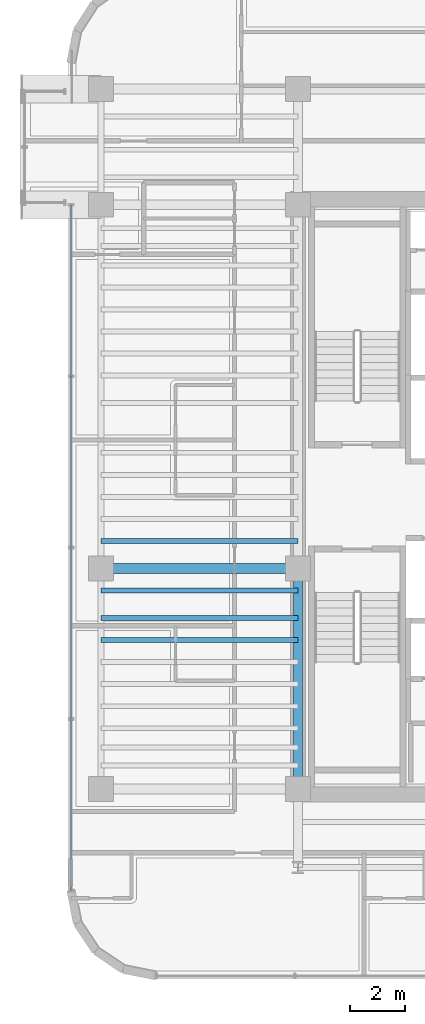
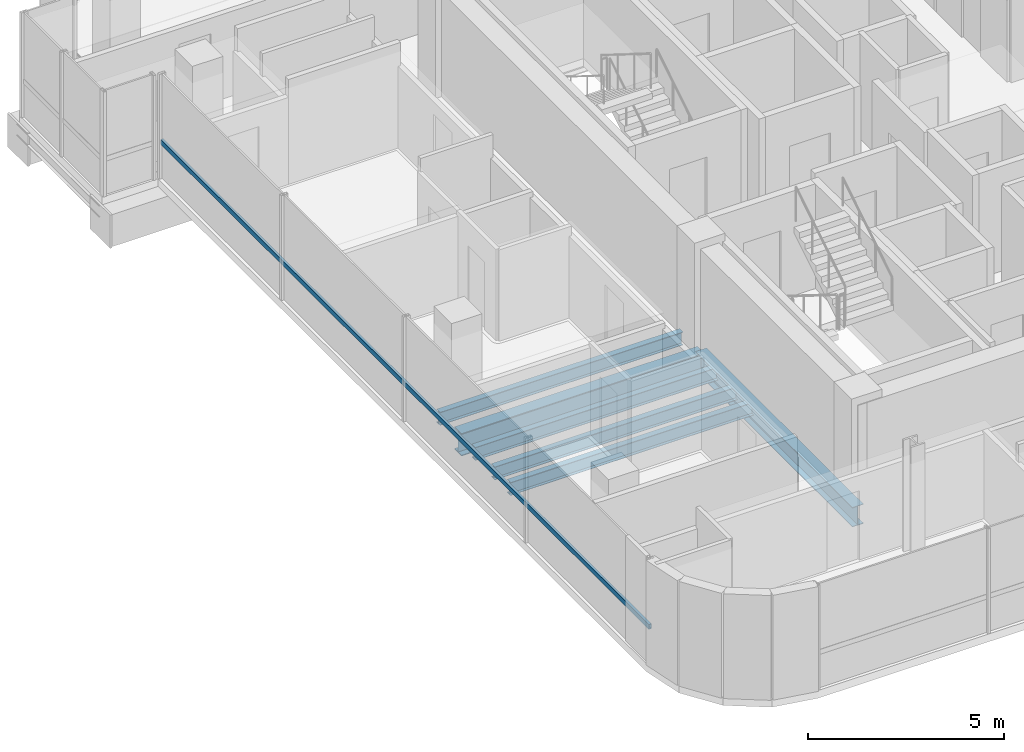
# One storey, part 5 of 23: 6 beams, 1 member, 1 element without a shape of its own.
"""IFC4 building model written with IfcOpenShell, lengths in metres."""

import ifcopenshell
import ifcopenshell.guid

model = None  # the IFC model being written
_history = None  # IfcOwnerHistory: only IFC2X3 demands one
_inside = {}  # id of a spatial element -> (the spatial element, [elements in it])
_under = {}  # id of a project, library or spatial element -> (it, [spatial elements below it])
_declared = {}  # id of a project -> (the project, [libraries it declares])
_typed = {}  # id of a type object -> (the type object, [elements of that type])
_made_of = {}  # id of a material, layer set ... -> (it, [elements and type objects made of it])


def new_model(schema):
    """Start an empty IFC model of exactly this schema.

    Asked for "IFC4X3", IfcOpenShell would pick the latest addendum, in which some entities
    have other attributes; the version numbers below select the first issue.
    IFC2X3 requires an IfcOwnerHistory on every rooted entity: one is made here for all.
    """
    global model, _history
    if schema == "IFC4X3":
        model = ifcopenshell.file(schema_version=(4, 3, 0, 0))
    else:
        model = ifcopenshell.file(schema=schema)
    _inside.clear()
    _under.clear()
    _declared.clear()
    _typed.clear()
    _made_of.clear()
    _history = None
    if model.schema == "IFC2X3":
        org = make("IfcOrganization", Name="unknown")
        user = make(
            "IfcPersonAndOrganization",
            ThePerson=make("IfcPerson", FamilyName="unknown"),
            TheOrganization=org,
        )
        app = make(
            "IfcApplication",
            ApplicationDeveloper=org,
            Version="unknown",
            ApplicationFullName="unknown",
            ApplicationIdentifier="unknown",
        )
        _history = make(
            "IfcOwnerHistory",
            OwningUser=user,
            OwningApplication=app,
            ChangeAction="ADDED",
            CreationDate=0,
        )
    return model


def make(cls, **values):
    """One entity of the class cls with the attributes given. An attribute that is None is left unset."""
    return model.create_entity(
        cls, **{name: value for name, value in values.items() if value is not None}
    )


def rooted(cls, **values):
    """An entity with a GlobalId (a new one), such as an element, a storey or a relation."""
    return make(cls, GlobalId=ifcopenshell.guid.new(), OwnerHistory=_history, **values)


def si_unit(unit_type, name, prefix=None):
    """IfcSIUnit, for example si_unit("LENGTHUNIT", "METRE", prefix="MILLI")."""
    return make("IfcSIUnit", UnitType=unit_type, Prefix=prefix, Name=name)


def assignment(units):
    """IfcUnitAssignment: the units of a project."""
    return None if units is None else make("IfcUnitAssignment", Units=units)


def point(xyz):
    """IfcCartesianPoint."""
    return None if xyz is None else make("IfcCartesianPoint", Coordinates=xyz)


def direction(xyz):
    """IfcDirection."""
    return None if xyz is None else make("IfcDirection", DirectionRatios=xyz)


def frame(location, z_axis=None, x_axis=None):
    """IfcAxis2Placement3D, a coordinate frame: its origin and axes. An axis left out is left unset."""
    return make(
        "IfcAxis2Placement3D",
        Location=point(location),
        Axis=direction(z_axis),
        RefDirection=direction(x_axis),
    )


def frame_2d(location, x_axis=None):
    """IfcAxis2Placement2D, a coordinate frame in the plane: its origin and x axis."""
    return make(
        "IfcAxis2Placement2D", Location=point(location), RefDirection=direction(x_axis)
    )


def origin():
    """The frame at (0, 0, 0) with its axes left unset."""
    return frame((0.0, 0.0, 0.0))


def origin_2d():
    """The frame at (0, 0) in the plane with its x axis left unset."""
    return frame_2d((0.0, 0.0))


def place(relative_to, where):
    """IfcLocalPlacement: puts the frame where relative to a parent placement (None: the world)."""
    return make(
        "IfcLocalPlacement", PlacementRelTo=relative_to, RelativePlacement=where
    )


def context(
    kind, dimensions, precision=None, world=None, true_north=None, identifier=None
):
    """IfcGeometricRepresentationContext, for example the 3D "Model" context."""
    return make(
        "IfcGeometricRepresentationContext",
        ContextIdentifier=identifier,
        ContextType=kind,
        CoordinateSpaceDimension=dimensions,
        Precision=precision,
        WorldCoordinateSystem=world,
        TrueNorth=true_north,
    )


def subcontext(parent, identifier, kind, view, scale=None):
    """IfcGeometricRepresentationSubContext, for example "Body" below "Model"."""
    return make(
        "IfcGeometricRepresentationSubContext",
        ContextIdentifier=identifier,
        ContextType=kind,
        ParentContext=parent,
        TargetScale=scale,
        TargetView=view,
    )


def project(units=None, contexts=None):
    """IfcProject with its units and contexts."""
    return rooted(
        "IfcProject",
        Name="project",
        RepresentationContexts=contexts,
        UnitsInContext=assignment(units),
    )


def spatial(cls, under=None, at=None, **own):
    """A site, building, storey or space (cls), placed at a placement, below another one or the project."""
    s = rooted(cls, ObjectPlacement=at, **own)
    if under is not None:
        _under.setdefault(under.id(), (under, []))[1].append(s)
    return s


def profile(cls, at=None, kind="AREA", **sizes):
    """A parametric profile (cls). Its sizes go by their IFC names, for example OverallWidth=200.0."""
    return make(cls, ProfileType=kind, Position=at, **sizes)


def hollow_rectangle(**sizes):
    """IfcRectangleHollowProfileDef."""
    return profile("IfcRectangleHollowProfileDef", **sizes)


def i_section(**sizes):
    """IfcIShapeProfileDef."""
    return profile("IfcIShapeProfileDef", **sizes)


def extrude(swept, where, along, depth):
    """IfcExtrudedAreaSolid: the profile swept, set in the frame where, extruded along a direction by depth."""
    return make(
        "IfcExtrudedAreaSolid",
        SweptArea=swept,
        Position=where,
        ExtrudedDirection=direction(along),
        Depth=depth,
    )


def shape(context_of_items, identifier, shape_type, items):
    """IfcShapeRepresentation: the items that make up one representation, for example the "Body"."""
    return make(
        "IfcShapeRepresentation",
        ContextOfItems=context_of_items,
        RepresentationIdentifier=identifier,
        RepresentationType=shape_type,
        Items=items,
    )


def source(mapping_origin, context_of_items, identifier, shape_type, items):
    """IfcRepresentationMap: a shape defined once, which mapped items show again and again."""
    return make(
        "IfcRepresentationMap",
        MappingOrigin=mapping_origin,
        MappedRepresentation=shape(context_of_items, identifier, shape_type, items),
    )


def transform(
    local_origin,
    x_axis=None,
    y_axis=None,
    z_axis=None,
    scale=None,
    scale2=None,
    scale3=None,
    uniform=True,
):
    """IfcCartesianTransformationOperator3D, or its non-uniform kind. x_axis, y_axis, z_axis: its Axis1, 2, 3."""
    if uniform:
        return make(
            "IfcCartesianTransformationOperator3D",
            Axis1=direction(x_axis),
            Axis2=direction(y_axis),
            LocalOrigin=point(local_origin),
            Scale=scale,
            Axis3=direction(z_axis),
        )
    return make(
        "IfcCartesianTransformationOperator3DnonUniform",
        Axis1=direction(x_axis),
        Axis2=direction(y_axis),
        LocalOrigin=point(local_origin),
        Scale=scale,
        Axis3=direction(z_axis),
        Scale2=scale2,
        Scale3=scale3,
    )


def mapped(mapping_source, mapping_target):
    """IfcMappedItem: shows the shape of a source again, moved by a transform."""
    return make(
        "IfcMappedItem", MappingSource=mapping_source, MappingTarget=mapping_target
    )


def material(Name=None, Category=None):
    """IfcMaterial."""
    return make("IfcMaterial", Name=Name, Category=Category)


def material_profile(
    of_material, cross_section, Name=None, Category=None, Priority=None
):
    """IfcMaterialProfile: a cross section and its material."""
    return make(
        "IfcMaterialProfile",
        Name=Name,
        Material=of_material,
        Profile=cross_section,
        Priority=Priority,
        Category=Category,
    )


def profile_set(profiles, Name=None, composite=None):
    """IfcMaterialProfileSet."""
    return make(
        "IfcMaterialProfileSet",
        Name=Name,
        MaterialProfiles=profiles,
        CompositeProfile=composite,
    )


def made_of(thing, what):
    """Note that an element or type object is made of a material, layer set ...; save() writes the relation."""
    if what is not None:
        _made_of.setdefault(what.id(), (what, []))[1].append(thing)
    return thing


def type_object(cls, material=None, **own):
    """A type object (cls), such as IfcWallType, which elements share."""
    return made_of(rooted(cls, **own), material)


def element(
    cls,
    number,
    at=None,
    inside=None,
    cuts=None,
    type_object=None,
    material=None,
    context=None,
    identifier="Body",
    shape_type=None,
    held_by="IfcProductDefinitionShape",
    body=None,
    shapes=None,
    **own,
):
    """One element of the class cls, such as IfcWall. Its Tag is "e" and its number.

    at: its placement. inside: the storey or other place that contains it. cuts: it is an
    opening in that element (IfcRelVoidsElement). A single representation is given by context,
    identifier, shape_type and body (its items); several are given by shapes. held_by: the class
    of the entity that holds the representations. save() writes the other relations.
    """
    e = rooted(cls, Tag="e%d" % number, ObjectPlacement=at, **own)
    if body is not None:
        shapes = [shape(context, identifier, shape_type, body)]
    if shapes is not None:
        e.Representation = make(held_by, Representations=shapes)
    if inside is not None:
        _inside.setdefault(inside.id(), (inside, []))[1].append(e)
    if cuts is not None:
        rooted(
            "IfcRelVoidsElement", RelatingBuildingElement=cuts, RelatedOpeningElement=e
        )
    if type_object is not None:
        _typed.setdefault(type_object.id(), (type_object, []))[1].append(e)
    return made_of(e, material)


def aggregate(whole, parts):
    """IfcRelAggregates: a whole, such as a stair, and the parts it consists of."""
    return rooted("IfcRelAggregates", RelatingObject=whole, RelatedObjects=parts)


def save(model, path):
    """Write the relations noted so far, then the file.

    IfcRelAggregates (storeys below a building ...), IfcRelContainedInSpatialStructure (elements
    in a storey), IfcRelDefinesByType, IfcRelAssociatesMaterial and IfcRelDeclares: one each for
    every whole, place, type object, material and project.
    """
    for whole, parts in _under.values():
        aggregate(whole, parts)
    for where, things in _inside.values():
        rooted(
            "IfcRelContainedInSpatialStructure",
            RelatedElements=things,
            RelatingStructure=where,
        )
    for kind, things in _typed.values():
        rooted("IfcRelDefinesByType", RelatedObjects=things, RelatingType=kind)
    for what, things in _made_of.values():
        rooted("IfcRelAssociatesMaterial", RelatedObjects=things, RelatingMaterial=what)
    for by, libraries in _declared.values():
        rooted("IfcRelDeclares", RelatingContext=by, RelatedDefinitions=libraries)
    model.write(path)


model = new_model("IFC4")

# Units and contexts
model_context = context("Model", 3, precision=1e-05, world=origin(), true_north=direction((0.0, 1.0)))
body_context = subcontext(model_context, "Body", "Model", "MODEL_VIEW")
ifc_project = project(units=[si_unit("LENGTHUNIT", "METRE"), si_unit("AREAUNIT", "SQUARE_METRE"), si_unit("VOLUMEUNIT", "CUBIC_METRE"), si_unit("PLANEANGLEUNIT", "RADIAN"), si_unit("MASSUNIT", "GRAM", prefix="KILO")], contexts=[model_context])

# Site, building, storey
site_placement = place(None, origin())
site = spatial("IfcSite", under=ifc_project, at=site_placement, CompositionType="ELEMENT")
building_placement = place(site_placement, origin())
building = spatial("IfcBuilding", under=site, at=building_placement, Name="Valdorenza Pilgrim Sanctuary Tower", CompositionType="ELEMENT")
storey_placement = place(building_placement, frame((0.0, 0.0, 226.5)))
storey = spatial("IfcBuildingStorey", under=building, at=storey_placement, Name="L58", CompositionType="ELEMENT", Elevation=226.5)

# Beams
ifc_material_1 = material(Name="Steel ASTM A992 Grade 50", Category="steel")
ifc_material_profile_1 = material_profile(ifc_material_1, i_section(OverallWidth=0.323974609375, OverallDepth=0.611083984375, WebThickness=0.0126953125, FlangeThickness=0.01904296875, at=origin_2d()), Name="W24X104")
ifc_profile_set_1 = profile_set([ifc_material_profile_1], Name="Steel ASTM A992 Grade 50")
beam_type_1 = type_object("IfcBeamType", Name="STR-BM-GRD-W24B", PredefinedType="BEAM", material=ifc_profile_set_1)
shared_shape_1 = source(origin(), body_context, "Body", "SweptSolid", [
    extrude(i_section(OverallWidth=0.323974609375, OverallDepth=0.611083984375, WebThickness=0.0126953125, FlangeThickness=0.01904296875, at=origin_2d()), origin(), (0.0, 0.0, 1.0), 8.0),
])
beam_1_placement = place(storey_placement, frame((-22.64990234375, -10.60009765625, -0.54541015625), z_axis=(0.0, 1.0, 0.0), x_axis=(-1.0, 0.0, 0.0)))
element("IfcBeam", 1, at=beam_1_placement, inside=storey, type_object=beam_type_1, Name="L58 Core Tie Girder CA-W-S1M0", PredefinedType="BEAM", context=body_context, shape_type="MappedRepresentation", body=[
    mapped(shared_shape_1, transform((0.0, 0.0, 0.0), x_axis=(1.0, 0.0, 0.0), y_axis=(0.0, 1.0, 0.0), z_axis=(0.0, 0.0, 1.0), scale=1.0)),
])
ifc_material_profile_2 = material_profile(ifc_material_1, i_section(OverallWidth=0.35595703125, OverallDepth=0.700927734375, WebThickness=0.016845703125, FlangeThickness=0.02734375, at=origin_2d()), Name="W27X161")
ifc_profile_set_2 = profile_set([ifc_material_profile_2], Name="Steel ASTM A992 Grade 50")
beam_type_2 = type_object("IfcBeamType", Name="STR-BM-GRD-W27", PredefinedType="BEAM", material=ifc_profile_set_2)
shared_shape_2 = source(origin(), body_context, "Body", "SweptSolid", [
    extrude(i_section(OverallWidth=0.35595703125, OverallDepth=0.700927734375, WebThickness=0.016845703125, FlangeThickness=0.02734375, at=origin_2d()), origin(), (0.0, 0.0, 1.0), 7.150146484375),
])
beam_2_placement = place(storey_placement, frame((-29.800048828125, -2.60009765625, -0.590576171875), z_axis=(1.0, 0.0, 0.0), x_axis=(0.0, 1.0, 0.0)))
element("IfcBeam", 2, at=beam_2_placement, inside=storey, type_object=beam_type_2, Name="L58 Floor Girder WA-XW-M0", PredefinedType="BEAM", context=body_context, shape_type="MappedRepresentation", body=[
    mapped(shared_shape_2, transform((0.0, 0.0, 0.0), x_axis=(1.0, 0.0, 0.0), y_axis=(0.0, 1.0, 0.0), z_axis=(0.0, 0.0, 1.0), scale=1.0)),
])
ifc_material_profile_3 = material_profile(ifc_material_1, i_section(OverallWidth=0.177978515625, OverallDepth=0.406005859375, WebThickness=0.0078125, FlangeThickness=0.0126953125, at=origin_2d()), Name="W16X40")
ifc_profile_set_3 = profile_set([ifc_material_profile_3], Name="Steel ASTM A992 Grade 50")
beam_type_3 = type_object("IfcBeamType", Name="STR-BM-JST-W16", PredefinedType="JOIST", material=ifc_profile_set_3)
shared_shape_3 = source(origin(), body_context, "Body", "SweptSolid", [
    extrude(i_section(OverallWidth=0.177978515625, OverallDepth=0.406005859375, WebThickness=0.0078125, FlangeThickness=0.0126953125, at=origin_2d()), origin(), (0.0, 0.0, 1.0), 7.150146484375),
])
for number, where, z_axis, x_axis, name in (
    (3, (-29.800048828125, -5.199951171875, -0.443115234375), (1.0, 0.0, 0.0), (0.0, 1.0, 0.0), "L58 Composite Floor Joist JST-WA-7"),
    (4, (-29.800048828125, -4.39990234375, -0.443115234375), (1.0, 0.0, 0.0), (0.0, 1.0, 0.0), "L58 Composite Floor Joist JST-WA-8"),
    (5, (-29.800048828125, -3.39990234375, -0.443115234375), (1.0, 0.0, 0.0), (0.0, 1.0, 0.0), "L58 Composite Floor Joist JST-WA-9"),
    (6, (-29.800048828125, -1.60009765625, -0.443115234375), (1.0, 0.0, 0.0), (0.0, 1.0, 0.0), "L58 Composite Floor Joist JST-WA-10"),
):
    element("IfcBeam", number, at=place(storey_placement, frame(where, z_axis=z_axis, x_axis=x_axis)), inside=storey, type_object=beam_type_3, Name=name, PredefinedType="JOIST", context=body_context, shape_type="MappedRepresentation", body=[
        mapped(shared_shape_3, transform((0.0, 0.0, 0.0), x_axis=(1.0, 0.0, 0.0), y_axis=(0.0, 1.0, 0.0), z_axis=(0.0, 0.0, 1.0), scale=1.0)),
    ])

# Curtain wall, member
ifc_material_2 = material(Name="Curtain-wall IGU glazing", Category="glass")
curtain_wall_type = type_object("IfcCurtainWallType", Name="CW-SYS-02", PredefinedType="NOTDEFINED", material=ifc_material_2)
curtain_wall_placement = place(storey_placement, origin())
curtain_wall = element("IfcCurtainWall", 7, at=curtain_wall_placement, inside=storey, type_object=curtain_wall_type, Name="L58 Curtain Wall CW-L58-1-1S1", PredefinedType="NOTDEFINED")
ifc_material_3 = material(Name="Anodised aluminium AW-6060", Category="aluminium")
ifc_material_profile_4 = material_profile(ifc_material_3, hollow_rectangle(XDim=0.074951171875, YDim=0.14990234375, WallThickness=0.00390625, at=origin_2d()), Name="ALU-T 150x75x4")
ifc_profile_set_4 = profile_set([ifc_material_profile_4], Name="Anodised aluminium AW-6060")
member_type = type_object("IfcMemberType", Name="CW-TRN-02", PredefinedType="USERDEFINED", material=ifc_profile_set_4)
shared_shape_4 = source(origin(), body_context, "Body", "SweptSolid", [
    extrude(hollow_rectangle(XDim=0.074951171875, YDim=0.14990234375, WallThickness=0.00390625, at=origin_2d()), origin(), (0.0, 0.0, 1.0), 24.889404296875),
])
member_placement = place(storey_placement, frame((-30.889892578125, -14.289306640625, 1.1201171875), z_axis=(0.0, 1.0, 0.0), x_axis=(-1.0, 0.0, 0.0)))
member = element("IfcMember", 8, at=member_placement, type_object=member_type, Name="CW-L58-1-1S1 Transom 1", ObjectType="TRANSOM", PredefinedType="USERDEFINED", context=body_context, shape_type="MappedRepresentation", body=[
    mapped(shared_shape_4, transform((0.0, 0.0, 0.0), x_axis=(1.0, 0.0, 0.0), y_axis=(0.0, 1.0, 0.0), z_axis=(0.0, 0.0, 1.0), scale=1.0)),
])
aggregate(curtain_wall, [member])

save(model, "model.ifc")
